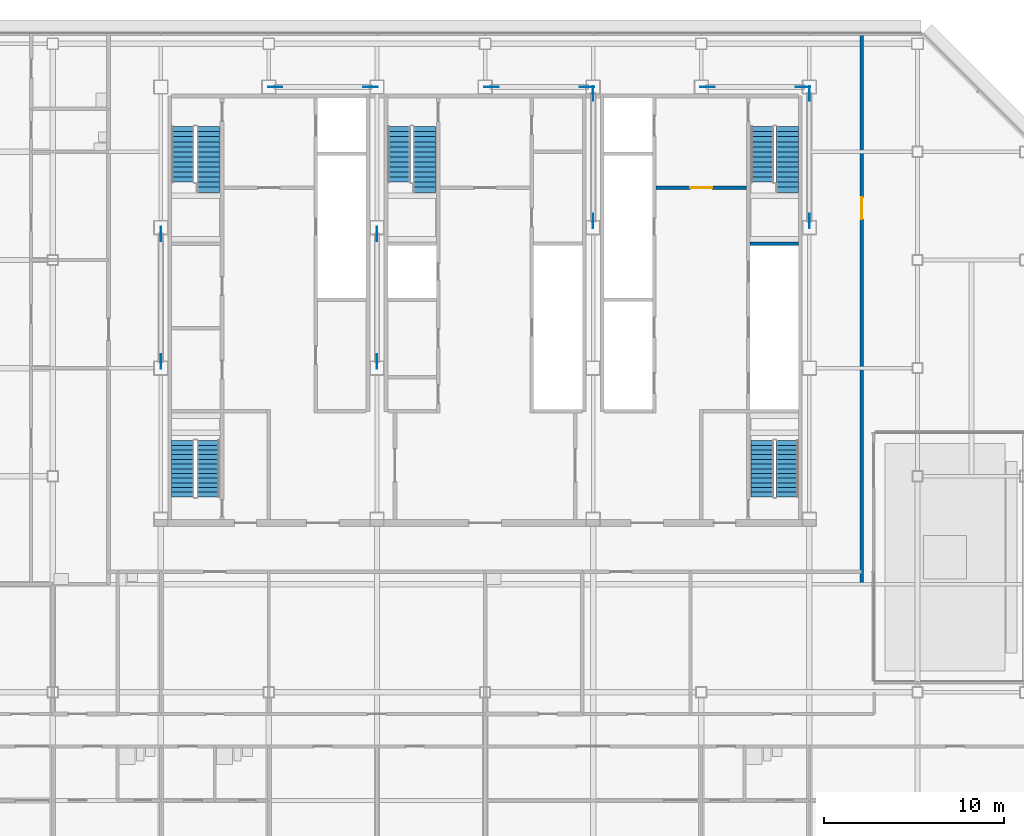
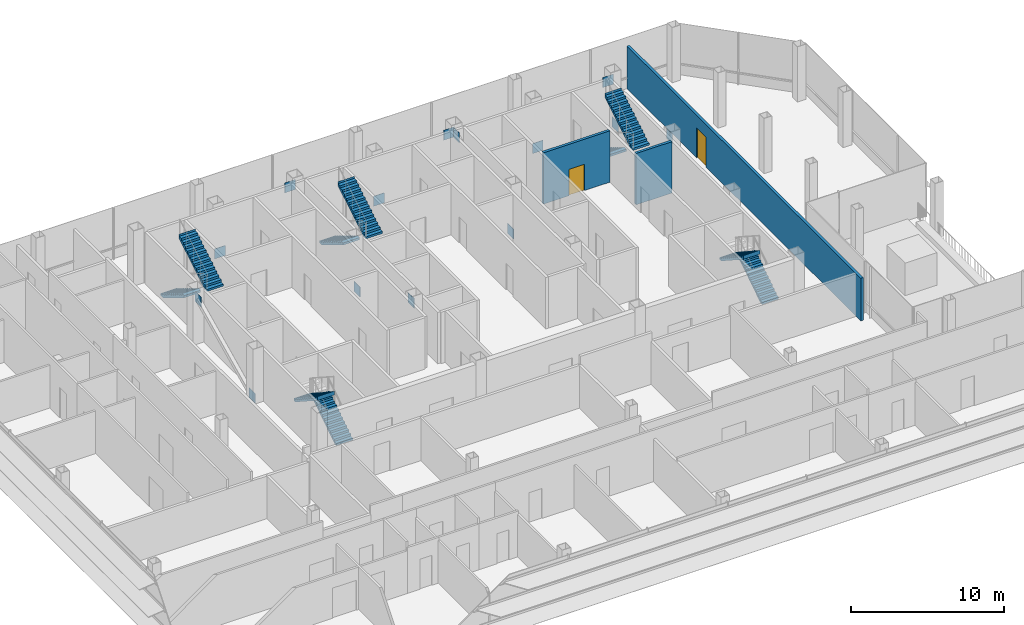
# One storey, part 26 of 30: 14 discrete accessories, 10 stair flights, 3 walls, 2 doors, 2 openings, 5 elements without a shape of their own.
"""IFC4 building model written with IfcOpenShell, lengths in metres."""

import ifcopenshell
import ifcopenshell.guid

model = None  # the IFC model being written
_history = None  # IfcOwnerHistory: only IFC2X3 demands one
_inside = {}  # id of a spatial element -> (the spatial element, [elements in it])
_under = {}  # id of a project, library or spatial element -> (it, [spatial elements below it])
_declared = {}  # id of a project -> (the project, [libraries it declares])
_typed = {}  # id of a type object -> (the type object, [elements of that type])
_made_of = {}  # id of a material, layer set ... -> (it, [elements and type objects made of it])


def new_model(schema):
    """Start an empty IFC model of exactly this schema.

    Asked for "IFC4X3", IfcOpenShell would pick the latest addendum, in which some entities
    have other attributes; the version numbers below select the first issue.
    IFC2X3 requires an IfcOwnerHistory on every rooted entity: one is made here for all.
    """
    global model, _history
    if schema == "IFC4X3":
        model = ifcopenshell.file(schema_version=(4, 3, 0, 0))
    else:
        model = ifcopenshell.file(schema=schema)
    _inside.clear()
    _under.clear()
    _declared.clear()
    _typed.clear()
    _made_of.clear()
    _history = None
    if model.schema == "IFC2X3":
        org = make("IfcOrganization", Name="unknown")
        user = make(
            "IfcPersonAndOrganization",
            ThePerson=make("IfcPerson", FamilyName="unknown"),
            TheOrganization=org,
        )
        app = make(
            "IfcApplication",
            ApplicationDeveloper=org,
            Version="unknown",
            ApplicationFullName="unknown",
            ApplicationIdentifier="unknown",
        )
        _history = make(
            "IfcOwnerHistory",
            OwningUser=user,
            OwningApplication=app,
            ChangeAction="ADDED",
            CreationDate=0,
        )
    return model


def make(cls, **values):
    """One entity of the class cls with the attributes given. An attribute that is None is left unset."""
    return model.create_entity(
        cls, **{name: value for name, value in values.items() if value is not None}
    )


def rooted(cls, **values):
    """An entity with a GlobalId (a new one), such as an element, a storey or a relation."""
    return make(cls, GlobalId=ifcopenshell.guid.new(), OwnerHistory=_history, **values)


def si_unit(unit_type, name, prefix=None):
    """IfcSIUnit, for example si_unit("LENGTHUNIT", "METRE", prefix="MILLI")."""
    return make("IfcSIUnit", UnitType=unit_type, Prefix=prefix, Name=name)


def assignment(units):
    """IfcUnitAssignment: the units of a project."""
    return None if units is None else make("IfcUnitAssignment", Units=units)


def point(xyz):
    """IfcCartesianPoint."""
    return None if xyz is None else make("IfcCartesianPoint", Coordinates=xyz)


def direction(xyz):
    """IfcDirection."""
    return None if xyz is None else make("IfcDirection", DirectionRatios=xyz)


def frame(location, z_axis=None, x_axis=None):
    """IfcAxis2Placement3D, a coordinate frame: its origin and axes. An axis left out is left unset."""
    return make(
        "IfcAxis2Placement3D",
        Location=point(location),
        Axis=direction(z_axis),
        RefDirection=direction(x_axis),
    )


def frame_2d(location, x_axis=None):
    """IfcAxis2Placement2D, a coordinate frame in the plane: its origin and x axis."""
    return make(
        "IfcAxis2Placement2D", Location=point(location), RefDirection=direction(x_axis)
    )


def origin():
    """The frame at (0, 0, 0) with its axes left unset."""
    return frame((0.0, 0.0, 0.0))


def origin_2d():
    """The frame at (0, 0) in the plane with its x axis left unset."""
    return frame_2d((0.0, 0.0))


def place(relative_to, where):
    """IfcLocalPlacement: puts the frame where relative to a parent placement (None: the world)."""
    return make(
        "IfcLocalPlacement", PlacementRelTo=relative_to, RelativePlacement=where
    )


def context(
    kind, dimensions, precision=None, world=None, true_north=None, identifier=None
):
    """IfcGeometricRepresentationContext, for example the 3D "Model" context."""
    return make(
        "IfcGeometricRepresentationContext",
        ContextIdentifier=identifier,
        ContextType=kind,
        CoordinateSpaceDimension=dimensions,
        Precision=precision,
        WorldCoordinateSystem=world,
        TrueNorth=true_north,
    )


def subcontext(parent, identifier, kind, view, scale=None):
    """IfcGeometricRepresentationSubContext, for example "Body" below "Model"."""
    return make(
        "IfcGeometricRepresentationSubContext",
        ContextIdentifier=identifier,
        ContextType=kind,
        ParentContext=parent,
        TargetScale=scale,
        TargetView=view,
    )


def project(units=None, contexts=None):
    """IfcProject with its units and contexts."""
    return rooted(
        "IfcProject",
        Name="project",
        RepresentationContexts=contexts,
        UnitsInContext=assignment(units),
    )


def spatial(cls, under=None, at=None, **own):
    """A site, building, storey or space (cls), placed at a placement, below another one or the project."""
    s = rooted(cls, ObjectPlacement=at, **own)
    if under is not None:
        _under.setdefault(under.id(), (under, []))[1].append(s)
    return s


def polyline(points):
    """IfcPolyline through the points."""
    return make("IfcPolyline", Points=[point(p) for p in points])


def profile(cls, at=None, kind="AREA", **sizes):
    """A parametric profile (cls). Its sizes go by their IFC names, for example OverallWidth=200.0."""
    return make(cls, ProfileType=kind, Position=at, **sizes)


def rectangle(**sizes):
    """IfcRectangleProfileDef."""
    return profile("IfcRectangleProfileDef", **sizes)


def outline(outer, holes=None, kind="AREA"):
    """IfcArbitraryClosedProfileDef: a profile drawn as a closed curve; with holes, ...WithVoids."""
    if holes is None:
        return make("IfcArbitraryClosedProfileDef", ProfileType=kind, OuterCurve=outer)
    return make(
        "IfcArbitraryProfileDefWithVoids",
        ProfileType=kind,
        OuterCurve=outer,
        InnerCurves=holes,
    )


def extrude(swept, where, along, depth):
    """IfcExtrudedAreaSolid: the profile swept, set in the frame where, extruded along a direction by depth."""
    return make(
        "IfcExtrudedAreaSolid",
        SweptArea=swept,
        Position=where,
        ExtrudedDirection=direction(along),
        Depth=depth,
    )


def shape(context_of_items, identifier, shape_type, items):
    """IfcShapeRepresentation: the items that make up one representation, for example the "Body"."""
    return make(
        "IfcShapeRepresentation",
        ContextOfItems=context_of_items,
        RepresentationIdentifier=identifier,
        RepresentationType=shape_type,
        Items=items,
    )


def material(Name=None, Category=None):
    """IfcMaterial."""
    return make("IfcMaterial", Name=Name, Category=Category)


def layer(
    of_material, thickness, ventilated=None, Name=None, Category=None, Priority=None
):
    """IfcMaterialLayer: one layer of a wall or slab, of a material (None: an air gap)."""
    return make(
        "IfcMaterialLayer",
        Material=of_material,
        LayerThickness=thickness,
        IsVentilated=ventilated,
        Name=Name,
        Category=Category,
        Priority=Priority,
    )


def layer_set(layers, Name=None):
    """IfcMaterialLayerSet."""
    return make("IfcMaterialLayerSet", MaterialLayers=layers, LayerSetName=Name)


def made_of(thing, what):
    """Note that an element or type object is made of a material, layer set ...; save() writes the relation."""
    if what is not None:
        _made_of.setdefault(what.id(), (what, []))[1].append(thing)
    return thing


def type_object(cls, material=None, **own):
    """A type object (cls), such as IfcWallType, which elements share."""
    return made_of(rooted(cls, **own), material)


def element(
    cls,
    number,
    at=None,
    inside=None,
    cuts=None,
    type_object=None,
    material=None,
    context=None,
    identifier="Body",
    shape_type=None,
    held_by="IfcProductDefinitionShape",
    body=None,
    shapes=None,
    **own,
):
    """One element of the class cls, such as IfcWall. Its Tag is "e" and its number.

    at: its placement. inside: the storey or other place that contains it. cuts: it is an
    opening in that element (IfcRelVoidsElement). A single representation is given by context,
    identifier, shape_type and body (its items); several are given by shapes. held_by: the class
    of the entity that holds the representations. save() writes the other relations.
    """
    e = rooted(cls, Tag="e%d" % number, ObjectPlacement=at, **own)
    if body is not None:
        shapes = [shape(context, identifier, shape_type, body)]
    if shapes is not None:
        e.Representation = make(held_by, Representations=shapes)
    if inside is not None:
        _inside.setdefault(inside.id(), (inside, []))[1].append(e)
    if cuts is not None:
        rooted(
            "IfcRelVoidsElement", RelatingBuildingElement=cuts, RelatedOpeningElement=e
        )
    if type_object is not None:
        _typed.setdefault(type_object.id(), (type_object, []))[1].append(e)
    return made_of(e, material)


def fill(opening, filler):
    """IfcRelFillsElement: the door or window that sits in an opening."""
    return rooted(
        "IfcRelFillsElement",
        RelatingOpeningElement=opening,
        RelatedBuildingElement=filler,
    )


def aggregate(whole, parts):
    """IfcRelAggregates: a whole, such as a stair, and the parts it consists of."""
    return rooted("IfcRelAggregates", RelatingObject=whole, RelatedObjects=parts)


def save(model, path):
    """Write the relations noted so far, then the file.

    IfcRelAggregates (storeys below a building ...), IfcRelContainedInSpatialStructure (elements
    in a storey), IfcRelDefinesByType, IfcRelAssociatesMaterial and IfcRelDeclares: one each for
    every whole, place, type object, material and project.
    """
    for whole, parts in _under.values():
        aggregate(whole, parts)
    for where, things in _inside.values():
        rooted(
            "IfcRelContainedInSpatialStructure",
            RelatedElements=things,
            RelatingStructure=where,
        )
    for kind, things in _typed.values():
        rooted("IfcRelDefinesByType", RelatedObjects=things, RelatingType=kind)
    for what, things in _made_of.values():
        rooted("IfcRelAssociatesMaterial", RelatedObjects=things, RelatingMaterial=what)
    for by, libraries in _declared.values():
        rooted("IfcRelDeclares", RelatingContext=by, RelatedDefinitions=libraries)
    model.write(path)


model = new_model("IFC4")

# Units and contexts
model_context = context("Model", 3, precision=1e-05, world=origin(), true_north=direction((0.0, 1.0)))
body_context = subcontext(model_context, "Body", "Model", "MODEL_VIEW")
ifc_project = project(units=[si_unit("LENGTHUNIT", "METRE"), si_unit("AREAUNIT", "SQUARE_METRE"), si_unit("VOLUMEUNIT", "CUBIC_METRE"), si_unit("PLANEANGLEUNIT", "RADIAN"), si_unit("MASSUNIT", "GRAM", prefix="KILO")], contexts=[model_context])

# Site, building, storey
site_placement = place(None, origin())
site = spatial("IfcSite", under=ifc_project, at=site_placement, CompositionType="ELEMENT")
building_placement = place(site_placement, origin())
building = spatial("IfcBuilding", under=site, at=building_placement, Name="Sorahane Residences", CompositionType="ELEMENT")
storey_placement = place(building_placement, frame((0.0, 0.0, 229.800048828125)))
storey = spatial("IfcBuildingStorey", under=building, at=storey_placement, Name="L54", CompositionType="ELEMENT", Elevation=229.800048828125)

# Wall, opening, door
ifc_material_1 = material(Name="Concrete blockwork C20 wall", Category="masonry")
ifc_layer_1 = layer(ifc_material_1, 0.199951171875)
ifc_layer_set_1 = layer_set([ifc_layer_1], Name="Corridor wall 200 EI 120")
wall_type_1 = type_object("IfcWallType", Name="Corridor wall 200 EI 120", PredefinedType="SOLIDWALL", material=ifc_layer_set_1)
wall_1_placement = place(storey_placement, frame((44.89990234375, 18.0, 0.0), z_axis=(0.0, 0.0, 1.0), x_axis=(0.0, 1.0, 0.0)))
wall_1 = element("IfcWall", 1, at=wall_1_placement, inside=storey, type_object=wall_type_1, Name="L54 corridor wall", PredefinedType="SOLIDWALL", context=body_context, shape_type="SweptSolid", body=[
    extrude(rectangle(XDim=30.60009765625, YDim=0.199951171875, at=frame_2d((15.300048828125, 0.0))), origin(), (0.0, 0.0, 1.0), 3.39990234375),
])
opening_1_placement = place(wall_1_placement, frame((20.27001953125, 0.0, 0.0)))
opening_1 = element("IfcOpeningElement", 2, at=opening_1_placement, cuts=wall_1, Name="Opening L54-43", PredefinedType="OPENING", context=body_context, shape_type="SweptSolid", body=[
    extrude(rectangle(XDim=1.199951171875, YDim=2.39990234375, at=frame_2d((0.60009765625, 1.199951171875))), frame((0.0, 0.10986328125, 0.0), z_axis=(0.0, -1.0, 0.0), x_axis=(1.0, 0.0, 0.0)), (0.0, 0.0, 1.0), 0.219970703125),
])
ifc_material_2 = material(Name="Steel", Category="steel")
door_type_1 = type_object("IfcDoorType", Name="Lobby door 1200x2400 FD60", OperationType="NOTDEFINED", PredefinedType="DOOR", material=ifc_material_2)
door_1_placement = place(opening_1_placement, frame((1.199951171875, 0.0, 0.0), z_axis=(0.0, 0.0, 1.0), x_axis=(-1.0, 0.0, 0.0)))
door_1 = element("IfcDoor", 3, at=door_1_placement, inside=storey, type_object=door_type_1, Name="Lobby door L54-43", OperationType="SINGLE_SWING_RIGHT", OverallHeight=2.39990234375, OverallWidth=1.199951171875, PredefinedType="DOOR", context=body_context, shape_type="SweptSolid", body=[
    extrude(rectangle(XDim=1.199951171875, YDim=2.39990234375, at=frame_2d((0.60009765625, 1.199951171875))), frame((0.0, 0.02490234375, 0.0), z_axis=(0.0, -1.0, 0.0), x_axis=(1.0, 0.0, 0.0)), (0.0, 0.0, 1.0), 0.050048828125),
])
fill(opening_1, door_1)

ifc_material_3 = material(Name="Concrete C30", Category="concrete")
ifc_layer_2 = layer(ifc_material_3, 0.199951171875)
ifc_layer_set_2 = layer_set([ifc_layer_2], Name="Front room wall 200 EI 120")
wall_type_2 = type_object("IfcWallType", Name="Front room wall 200 EI 120", PredefinedType="PARTITIONING", material=ifc_layer_set_2)
wall_2_placement = place(storey_placement, frame((33.5, 40.0, 0.0), z_axis=(0.0, 0.0, 1.0), x_axis=(1.0, 0.0, 0.0)))
wall_2 = element("IfcWall", 4, at=wall_2_placement, inside=storey, type_object=wall_type_2, Name="L54 front room wall", PredefinedType="PARTITIONING", context=body_context, shape_type="SweptSolid", body=[
    extrude(rectangle(XDim=5.0, YDim=0.199951171875, at=frame_2d((2.5, 0.0))), origin(), (0.0, 0.0, 1.0), 4.099853515625),
])
opening_2_placement = place(wall_2_placement, frame((1.89990234375, 0.0, 0.0)))
opening_2 = element("IfcOpeningElement", 5, at=opening_2_placement, cuts=wall_2, Name="Opening L54-C10", PredefinedType="OPENING", context=body_context, shape_type="SweptSolid", body=[
    extrude(rectangle(XDim=1.199951171875, YDim=2.10009765625, at=frame_2d((0.60009765625, 1.050048828125))), frame((0.0, 0.10986328125, 0.0), z_axis=(0.0, -1.0, 0.0), x_axis=(1.0, 0.0, 0.0)), (0.0, 0.0, 1.0), 0.219970703125),
])
ifc_material_4 = material(Name="Steel", Category="steel")
door_type_2 = type_object("IfcDoorType", Name="Front room door 1200x2100 FD120", OperationType="NOTDEFINED", PredefinedType="DOOR", material=ifc_material_4)
door_2_placement = place(opening_2_placement, frame((1.199951171875, 0.0, 0.0), z_axis=(0.0, 0.0, 1.0), x_axis=(-1.0, 0.0, 0.0)))
door_2 = element("IfcDoor", 6, at=door_2_placement, inside=storey, type_object=door_type_2, Name="Front room door Firefighting lobby FF2 front room L54", OperationType="DOUBLE_DOOR_SINGLE_SWING", OverallHeight=2.10009765625, OverallWidth=1.199951171875, PredefinedType="DOOR", context=body_context, shape_type="SweptSolid", body=[
    extrude(rectangle(XDim=1.199951171875, YDim=2.10009765625, at=frame_2d((0.60009765625, 1.050048828125))), frame((0.0, 0.02490234375, 0.0), z_axis=(0.0, -1.0, 0.0), x_axis=(1.0, 0.0, 0.0)), (0.0, 0.0, 1.0), 0.050048828125),
])
fill(opening_2, door_2)

# Wall
ifc_material_5 = material(Name="Concrete C30", Category="concrete")
ifc_layer_3 = layer(ifc_material_5, 0.199951171875)
ifc_layer_set_3 = layer_set([ifc_layer_3], Name="Stair enclosure wall 200 EI 120")
wall_type_3 = type_object("IfcWallType", Name="Stair enclosure wall 200 EI 120", PredefinedType="SOLIDWALL", material=ifc_layer_set_3)
wall_3_placement = place(storey_placement, frame((38.699951171875, 36.89990234375, 0.0), z_axis=(0.0, 0.0, 1.0), x_axis=(1.0, 0.0, 0.0)))
element("IfcWall", 7, at=wall_3_placement, inside=storey, type_object=wall_type_3, Name="L54 stair enclosure wall", PredefinedType="SOLIDWALL", context=body_context, shape_type="SweptSolid", body=[
    extrude(rectangle(XDim=2.699951171875, YDim=0.199951171875, at=frame_2d((1.35009765625, 0.0))), origin(), (0.0, 0.0, 1.0), 4.099853515625),
])

# Stair, stair flights
ifc_material_6 = material(Name="Concrete C40", Category="concrete")
stair_type = type_object("IfcStairType", Name="Dog-leg stair 1250 Concrete C40", PredefinedType="HALF_TURN_STAIR", material=ifc_material_6)
stair_1_placement = place(storey_placement, origin())
stair_1 = element("IfcStair", 8, at=stair_1_placement, inside=storey, type_object=stair_type, Name="L54 Stair S1", PredefinedType="HALF_TURN_STAIR")
ifc_material_7 = material(Name="Concrete C40", Category="concrete")
stair_flight_type = type_object("IfcStairFlightType", Name="Stair flight 1250 Concrete C40", PredefinedType="STRAIGHT", material=ifc_material_7)
stair_flight_1_placement = place(storey_placement, frame((7.22509765625, 43.39990234375, 0.0), z_axis=(0.0, 0.0, 1.0), x_axis=(0.0, -1.0, 0.0)))
stair_flight_1 = element("IfcStairFlight", 9, at=stair_flight_1_placement, type_object=stair_flight_type, Name="S1 flight 1", NumberOfRisers=12, NumberOfTreads=11, PredefinedType="STRAIGHT", RiserHeight=0.169230769, TreadLength=0.28, context=body_context, shape_type="SweptSolid", body=[
    extrude(outline(polyline([(-0.00146484375, 0.0), (-0.00146484375, 0.169189453125), (0.0, 0.169189453125), (0.280029296875, 0.169189453125), (0.280029296875, 0.33837890625), (0.56005859375, 0.33837890625), (0.56005859375, 0.5078125), (0.840087890625, 0.5078125), (0.840087890625, 0.677001953125), (1.1201171875, 0.677001953125), (1.1201171875, 0.84619140625), (1.39990234375, 0.84619140625), (1.39990234375, 1.015380859375), (1.679931640625, 1.015380859375), (1.679931640625, 1.1845703125), (1.9599609375, 1.1845703125), (1.9599609375, 1.353759765625), (2.239990234375, 1.353759765625), (2.239990234375, 1.523193359375), (2.52001953125, 1.523193359375), (2.52001953125, 1.6923828125), (2.800048828125, 1.6923828125), (2.800048828125, 1.861572265625), (3.080078125, 1.861572265625), (3.080078125, 2.03076171875), (3.080078125, 1.686279296875), (2.865478515625, 1.556640625), (2.650634765625, 1.427001953125), (2.43603515625, 1.297119140625), (2.221435546875, 1.16748046875), (2.0068359375, 1.037841796875), (1.792236328125, 0.907958984375), (1.57763671875, 0.7783203125), (1.363037109375, 0.648681640625), (1.1484375, 0.518798828125), (0.93359375, 0.38916015625), (0.718994140625, 0.259521484375), (0.50439453125, 0.129638671875), (0.289794921875, 0.0), (-0.00146484375, 0.0)])), frame((0.0, 0.625, 0.0), z_axis=(0.0, -1.0, 0.0), x_axis=(1.0, 0.0, 0.0)), (0.0, 0.0, 1.0), 1.25),
])
stair_flight_2_placement = place(storey_placement, frame((8.625, 39.760009765625, 2.03076171875), z_axis=(0.0, 0.0, 1.0), x_axis=(0.0, 1.0, 0.0)))
stair_flight_2 = element("IfcStairFlight", 10, at=stair_flight_2_placement, type_object=stair_flight_type, Name="S1 flight 2", NumberOfRisers=14, NumberOfTreads=13, PredefinedType="STRAIGHT", RiserHeight=0.169230769, TreadLength=0.28, context=body_context, shape_type="SweptSolid", body=[
    extrude(outline(polyline([(-0.00146484375, 0.0), (-0.00146484375, 0.169189453125), (0.0, 0.169189453125), (0.280029296875, 0.169189453125), (0.280029296875, 0.33837890625), (0.56005859375, 0.33837890625), (0.56005859375, 0.5078125), (0.840087890625, 0.5078125), (0.840087890625, 0.677001953125), (1.1201171875, 0.677001953125), (1.1201171875, 0.84619140625), (1.39990234375, 0.84619140625), (1.39990234375, 1.015380859375), (1.679931640625, 1.015380859375), (1.679931640625, 1.1845703125), (1.9599609375, 1.1845703125), (1.9599609375, 1.353759765625), (2.239990234375, 1.353759765625), (2.239990234375, 1.523193359375), (2.52001953125, 1.523193359375), (2.52001953125, 1.6923828125), (2.800048828125, 1.6923828125), (2.800048828125, 1.861572265625), (3.080078125, 1.861572265625), (3.080078125, 2.03076171875), (3.360107421875, 2.03076171875), (3.360107421875, 2.199951171875), (3.639892578125, 2.199951171875), (3.639892578125, 2.369140625), (3.6416015625, 2.369140625), (3.6416015625, 2.02490234375), (3.41796875, 1.889892578125), (3.194580078125, 1.7548828125), (2.97119140625, 1.619873046875), (2.747802734375, 1.48486328125), (2.524169921875, 1.349853515625), (2.30078125, 1.21484375), (2.077392578125, 1.079833984375), (1.85400390625, 0.94482421875), (1.63037109375, 0.81005859375), (1.406982421875, 0.675048828125), (1.18359375, 0.5400390625), (0.960205078125, 0.405029296875), (0.73681640625, 0.27001953125), (0.51318359375, 0.135009765625), (0.289794921875, 0.0), (-0.00146484375, 0.0)])), frame((0.0, 0.625, 0.0), z_axis=(0.0, -1.0, 0.0), x_axis=(1.0, 0.0, 0.0)), (0.0, 0.0, 1.0), 1.25),
])
aggregate(stair_1, [stair_flight_1, stair_flight_2])

stair_2_placement = place(storey_placement, origin())
stair_2 = element("IfcStair", 11, at=stair_2_placement, inside=storey, type_object=stair_type, Name="L54 Stair S2", PredefinedType="HALF_TURN_STAIR")
stair_flight_3_placement = place(storey_placement, frame((39.375, 43.39990234375, 0.0), z_axis=(0.0, 0.0, 1.0), x_axis=(0.0, -1.0, 0.0)))
stair_flight_3 = element("IfcStairFlight", 12, at=stair_flight_3_placement, type_object=stair_flight_type, Name="S2 flight 1", NumberOfRisers=12, NumberOfTreads=11, PredefinedType="STRAIGHT", RiserHeight=0.169230769, TreadLength=0.28, context=body_context, shape_type="SweptSolid", body=[
    extrude(outline(polyline([(-0.00146484375, 0.0), (-0.00146484375, 0.169189453125), (0.0, 0.169189453125), (0.280029296875, 0.169189453125), (0.280029296875, 0.33837890625), (0.56005859375, 0.33837890625), (0.56005859375, 0.5078125), (0.840087890625, 0.5078125), (0.840087890625, 0.677001953125), (1.1201171875, 0.677001953125), (1.1201171875, 0.84619140625), (1.39990234375, 0.84619140625), (1.39990234375, 1.015380859375), (1.679931640625, 1.015380859375), (1.679931640625, 1.1845703125), (1.9599609375, 1.1845703125), (1.9599609375, 1.353759765625), (2.239990234375, 1.353759765625), (2.239990234375, 1.523193359375), (2.52001953125, 1.523193359375), (2.52001953125, 1.6923828125), (2.800048828125, 1.6923828125), (2.800048828125, 1.861572265625), (3.080078125, 1.861572265625), (3.080078125, 2.03076171875), (3.080078125, 1.686279296875), (2.865478515625, 1.556640625), (2.650634765625, 1.427001953125), (2.43603515625, 1.297119140625), (2.221435546875, 1.16748046875), (2.0068359375, 1.037841796875), (1.792236328125, 0.907958984375), (1.57763671875, 0.7783203125), (1.363037109375, 0.648681640625), (1.1484375, 0.518798828125), (0.93359375, 0.38916015625), (0.718994140625, 0.259521484375), (0.50439453125, 0.129638671875), (0.289794921875, 0.0), (-0.00146484375, 0.0)])), frame((0.0, 0.625, 0.0), z_axis=(0.0, -1.0, 0.0), x_axis=(1.0, 0.0, 0.0)), (0.0, 0.0, 1.0), 1.25),
])
stair_flight_4_placement = place(storey_placement, frame((40.77490234375, 39.760009765625, 2.03076171875), z_axis=(0.0, 0.0, 1.0), x_axis=(0.0, 1.0, 0.0)))
stair_flight_4 = element("IfcStairFlight", 13, at=stair_flight_4_placement, type_object=stair_flight_type, Name="S2 flight 2", NumberOfRisers=14, NumberOfTreads=13, PredefinedType="STRAIGHT", RiserHeight=0.169230769, TreadLength=0.28, context=body_context, shape_type="SweptSolid", body=[
    extrude(outline(polyline([(-0.00146484375, 0.0), (-0.00146484375, 0.169189453125), (0.0, 0.169189453125), (0.280029296875, 0.169189453125), (0.280029296875, 0.33837890625), (0.56005859375, 0.33837890625), (0.56005859375, 0.5078125), (0.840087890625, 0.5078125), (0.840087890625, 0.677001953125), (1.1201171875, 0.677001953125), (1.1201171875, 0.84619140625), (1.39990234375, 0.84619140625), (1.39990234375, 1.015380859375), (1.679931640625, 1.015380859375), (1.679931640625, 1.1845703125), (1.9599609375, 1.1845703125), (1.9599609375, 1.353759765625), (2.239990234375, 1.353759765625), (2.239990234375, 1.523193359375), (2.52001953125, 1.523193359375), (2.52001953125, 1.6923828125), (2.800048828125, 1.6923828125), (2.800048828125, 1.861572265625), (3.080078125, 1.861572265625), (3.080078125, 2.03076171875), (3.360107421875, 2.03076171875), (3.360107421875, 2.199951171875), (3.639892578125, 2.199951171875), (3.639892578125, 2.369140625), (3.6416015625, 2.369140625), (3.6416015625, 2.02490234375), (3.41796875, 1.889892578125), (3.194580078125, 1.7548828125), (2.97119140625, 1.619873046875), (2.747802734375, 1.48486328125), (2.524169921875, 1.349853515625), (2.30078125, 1.21484375), (2.077392578125, 1.079833984375), (1.85400390625, 0.94482421875), (1.63037109375, 0.81005859375), (1.406982421875, 0.675048828125), (1.18359375, 0.5400390625), (0.960205078125, 0.405029296875), (0.73681640625, 0.27001953125), (0.51318359375, 0.135009765625), (0.289794921875, 0.0), (-0.00146484375, 0.0)])), frame((0.0, 0.625, 0.0), z_axis=(0.0, -1.0, 0.0), x_axis=(1.0, 0.0, 0.0)), (0.0, 0.0, 1.0), 1.25),
])
aggregate(stair_2, [stair_flight_3, stair_flight_4])

stair_3_placement = place(storey_placement, origin())
stair_3 = element("IfcStair", 14, at=stair_3_placement, inside=storey, type_object=stair_type, Name="L54 Stair S3", PredefinedType="HALF_TURN_STAIR")
stair_flight_5_placement = place(storey_placement, frame((19.22509765625, 43.39990234375, 0.0), z_axis=(0.0, 0.0, 1.0), x_axis=(0.0, -1.0, 0.0)))
stair_flight_5 = element("IfcStairFlight", 15, at=stair_flight_5_placement, type_object=stair_flight_type, Name="S3 flight 1", NumberOfRisers=12, NumberOfTreads=11, PredefinedType="STRAIGHT", RiserHeight=0.169230769, TreadLength=0.28, context=body_context, shape_type="SweptSolid", body=[
    extrude(outline(polyline([(-0.00146484375, 0.0), (-0.00146484375, 0.169189453125), (0.0, 0.169189453125), (0.280029296875, 0.169189453125), (0.280029296875, 0.33837890625), (0.56005859375, 0.33837890625), (0.56005859375, 0.5078125), (0.840087890625, 0.5078125), (0.840087890625, 0.677001953125), (1.1201171875, 0.677001953125), (1.1201171875, 0.84619140625), (1.39990234375, 0.84619140625), (1.39990234375, 1.015380859375), (1.679931640625, 1.015380859375), (1.679931640625, 1.1845703125), (1.9599609375, 1.1845703125), (1.9599609375, 1.353759765625), (2.239990234375, 1.353759765625), (2.239990234375, 1.523193359375), (2.52001953125, 1.523193359375), (2.52001953125, 1.6923828125), (2.800048828125, 1.6923828125), (2.800048828125, 1.861572265625), (3.080078125, 1.861572265625), (3.080078125, 2.03076171875), (3.080078125, 1.686279296875), (2.865478515625, 1.556640625), (2.650634765625, 1.427001953125), (2.43603515625, 1.297119140625), (2.221435546875, 1.16748046875), (2.0068359375, 1.037841796875), (1.792236328125, 0.907958984375), (1.57763671875, 0.7783203125), (1.363037109375, 0.648681640625), (1.1484375, 0.518798828125), (0.93359375, 0.38916015625), (0.718994140625, 0.259521484375), (0.50439453125, 0.129638671875), (0.289794921875, 0.0), (-0.00146484375, 0.0)])), frame((0.0, 0.625, 0.0), z_axis=(0.0, -1.0, 0.0), x_axis=(1.0, 0.0, 0.0)), (0.0, 0.0, 1.0), 1.25),
])
stair_flight_6_placement = place(storey_placement, frame((20.625, 39.760009765625, 2.03076171875), z_axis=(0.0, 0.0, 1.0), x_axis=(0.0, 1.0, 0.0)))
stair_flight_6 = element("IfcStairFlight", 16, at=stair_flight_6_placement, type_object=stair_flight_type, Name="S3 flight 2", NumberOfRisers=14, NumberOfTreads=13, PredefinedType="STRAIGHT", RiserHeight=0.169230769, TreadLength=0.28, context=body_context, shape_type="SweptSolid", body=[
    extrude(outline(polyline([(-0.00146484375, 0.0), (-0.00146484375, 0.169189453125), (0.0, 0.169189453125), (0.280029296875, 0.169189453125), (0.280029296875, 0.33837890625), (0.56005859375, 0.33837890625), (0.56005859375, 0.5078125), (0.840087890625, 0.5078125), (0.840087890625, 0.677001953125), (1.1201171875, 0.677001953125), (1.1201171875, 0.84619140625), (1.39990234375, 0.84619140625), (1.39990234375, 1.015380859375), (1.679931640625, 1.015380859375), (1.679931640625, 1.1845703125), (1.9599609375, 1.1845703125), (1.9599609375, 1.353759765625), (2.239990234375, 1.353759765625), (2.239990234375, 1.523193359375), (2.52001953125, 1.523193359375), (2.52001953125, 1.6923828125), (2.800048828125, 1.6923828125), (2.800048828125, 1.861572265625), (3.080078125, 1.861572265625), (3.080078125, 2.03076171875), (3.360107421875, 2.03076171875), (3.360107421875, 2.199951171875), (3.639892578125, 2.199951171875), (3.639892578125, 2.369140625), (3.6416015625, 2.369140625), (3.6416015625, 2.02490234375), (3.41796875, 1.889892578125), (3.194580078125, 1.7548828125), (2.97119140625, 1.619873046875), (2.747802734375, 1.48486328125), (2.524169921875, 1.349853515625), (2.30078125, 1.21484375), (2.077392578125, 1.079833984375), (1.85400390625, 0.94482421875), (1.63037109375, 0.81005859375), (1.406982421875, 0.675048828125), (1.18359375, 0.5400390625), (0.960205078125, 0.405029296875), (0.73681640625, 0.27001953125), (0.51318359375, 0.135009765625), (0.289794921875, 0.0), (-0.00146484375, 0.0)])), frame((0.0, 0.625, 0.0), z_axis=(0.0, -1.0, 0.0), x_axis=(1.0, 0.0, 0.0)), (0.0, 0.0, 1.0), 1.25),
])
aggregate(stair_3, [stair_flight_5, stair_flight_6])

stair_4_placement = place(storey_placement, origin())
stair_4 = element("IfcStair", 17, at=stair_4_placement, inside=storey, type_object=stair_type, Name="L54 Stair S4", PredefinedType="HALF_TURN_STAIR")
stair_flight_7_placement = place(storey_placement, frame((8.625, 22.85009765625, 0.0), z_axis=(0.0, 0.0, 1.0), x_axis=(0.0, 1.0, 0.0)))
stair_flight_7 = element("IfcStairFlight", 18, at=stair_flight_7_placement, type_object=stair_flight_type, Name="S4 flight 1", NumberOfRisers=13, NumberOfTreads=12, PredefinedType="STRAIGHT", RiserHeight=0.169230769, TreadLength=0.26, context=body_context, shape_type="SweptSolid", body=[
    extrude(outline(polyline([(-0.00146484375, 0.0), (-0.00146484375, 0.169189453125), (0.0, 0.169189453125), (0.260009765625, 0.169189453125), (0.260009765625, 0.33837890625), (0.52001953125, 0.33837890625), (0.52001953125, 0.5078125), (0.780029296875, 0.5078125), (0.780029296875, 0.677001953125), (1.0400390625, 0.677001953125), (1.0400390625, 0.84619140625), (1.300048828125, 0.84619140625), (1.300048828125, 1.015380859375), (1.56005859375, 1.015380859375), (1.56005859375, 1.1845703125), (1.820068359375, 1.1845703125), (1.820068359375, 1.353759765625), (2.080078125, 1.353759765625), (2.080078125, 1.523193359375), (2.340087890625, 1.523193359375), (2.340087890625, 1.6923828125), (2.60009765625, 1.6923828125), (2.60009765625, 1.861572265625), (2.860107421875, 1.861572265625), (2.860107421875, 2.03076171875), (3.1201171875, 2.03076171875), (3.1201171875, 2.199951171875), (3.1201171875, 1.887451171875), (2.912841796875, 1.752685546875), (2.705810546875, 1.617919921875), (2.49853515625, 1.48291015625), (2.29150390625, 1.34814453125), (2.08447265625, 1.21337890625), (1.877197265625, 1.07861328125), (1.670166015625, 0.943603515625), (1.462890625, 0.808837890625), (1.255859375, 0.674072265625), (1.048828125, 0.539306640625), (0.841552734375, 0.404541015625), (0.634521484375, 0.26953125), (0.42724609375, 0.134765625), (0.22021484375, 0.0), (-0.00146484375, 0.0)])), frame((0.0, 0.625, 0.0), z_axis=(0.0, -1.0, 0.0), x_axis=(1.0, 0.0, 0.0)), (0.0, 0.0, 1.0), 1.25),
])
stair_flight_8_placement = place(storey_placement, frame((7.22509765625, 25.969970703125, 2.199951171875), z_axis=(0.0, 0.0, 1.0), x_axis=(0.0, -1.0, 0.0)))
stair_flight_8 = element("IfcStairFlight", 19, at=stair_flight_8_placement, type_object=stair_flight_type, Name="S4 flight 2", NumberOfRisers=13, NumberOfTreads=12, PredefinedType="STRAIGHT", RiserHeight=0.169230769, TreadLength=0.26, context=body_context, shape_type="SweptSolid", body=[
    extrude(outline(polyline([(0.0, 0.0), (0.0, 0.169189453125), (0.260009765625, 0.169189453125), (0.260009765625, 0.33837890625), (0.52001953125, 0.33837890625), (0.52001953125, 0.5078125), (0.780029296875, 0.5078125), (0.780029296875, 0.677001953125), (1.0400390625, 0.677001953125), (1.0400390625, 0.84619140625), (1.300048828125, 0.84619140625), (1.300048828125, 1.015380859375), (1.56005859375, 1.015380859375), (1.56005859375, 1.1845703125), (1.820068359375, 1.1845703125), (1.820068359375, 1.353759765625), (2.080078125, 1.353759765625), (2.080078125, 1.523193359375), (2.340087890625, 1.523193359375), (2.340087890625, 1.6923828125), (2.60009765625, 1.6923828125), (2.60009765625, 1.861572265625), (2.860107421875, 1.861572265625), (2.860107421875, 2.03076171875), (3.1201171875, 2.03076171875), (3.1201171875, 2.199951171875), (3.12158203125, 2.199951171875), (3.12158203125, 1.887451171875), (2.914306640625, 1.752685546875), (2.70703125, 1.617919921875), (2.499755859375, 1.48291015625), (2.29248046875, 1.34814453125), (2.085205078125, 1.21337890625), (1.878173828125, 1.07861328125), (1.6708984375, 0.943603515625), (1.463623046875, 0.808837890625), (1.25634765625, 0.674072265625), (1.049072265625, 0.539306640625), (0.841796875, 0.404541015625), (0.634765625, 0.26953125), (0.427490234375, 0.134765625), (0.22021484375, 0.0), (0.0, 0.0)])), frame((0.0, 0.625, 0.0), z_axis=(0.0, -1.0, 0.0), x_axis=(1.0, 0.0, 0.0)), (0.0, 0.0, 1.0), 1.25),
])
aggregate(stair_4, [stair_flight_7, stair_flight_8])

stair_5_placement = place(storey_placement, origin())
stair_5 = element("IfcStair", 20, at=stair_5_placement, inside=storey, type_object=stair_type, Name="L54 Stair S5", PredefinedType="HALF_TURN_STAIR")
stair_flight_9_placement = place(storey_placement, frame((40.77490234375, 22.85009765625, 0.0), z_axis=(0.0, 0.0, 1.0), x_axis=(0.0, 1.0, 0.0)))
stair_flight_9 = element("IfcStairFlight", 21, at=stair_flight_9_placement, type_object=stair_flight_type, Name="S5 flight 1", NumberOfRisers=13, NumberOfTreads=12, PredefinedType="STRAIGHT", RiserHeight=0.169230769, TreadLength=0.26, context=body_context, shape_type="SweptSolid", body=[
    extrude(outline(polyline([(-0.00146484375, 0.0), (-0.00146484375, 0.169189453125), (0.0, 0.169189453125), (0.260009765625, 0.169189453125), (0.260009765625, 0.33837890625), (0.52001953125, 0.33837890625), (0.52001953125, 0.5078125), (0.780029296875, 0.5078125), (0.780029296875, 0.677001953125), (1.0400390625, 0.677001953125), (1.0400390625, 0.84619140625), (1.300048828125, 0.84619140625), (1.300048828125, 1.015380859375), (1.56005859375, 1.015380859375), (1.56005859375, 1.1845703125), (1.820068359375, 1.1845703125), (1.820068359375, 1.353759765625), (2.080078125, 1.353759765625), (2.080078125, 1.523193359375), (2.340087890625, 1.523193359375), (2.340087890625, 1.6923828125), (2.60009765625, 1.6923828125), (2.60009765625, 1.861572265625), (2.860107421875, 1.861572265625), (2.860107421875, 2.03076171875), (3.1201171875, 2.03076171875), (3.1201171875, 2.199951171875), (3.1201171875, 1.887451171875), (2.912841796875, 1.752685546875), (2.705810546875, 1.617919921875), (2.49853515625, 1.48291015625), (2.29150390625, 1.34814453125), (2.08447265625, 1.21337890625), (1.877197265625, 1.07861328125), (1.670166015625, 0.943603515625), (1.462890625, 0.808837890625), (1.255859375, 0.674072265625), (1.048828125, 0.539306640625), (0.841552734375, 0.404541015625), (0.634521484375, 0.26953125), (0.42724609375, 0.134765625), (0.22021484375, 0.0), (-0.00146484375, 0.0)])), frame((0.0, 0.625, 0.0), z_axis=(0.0, -1.0, 0.0), x_axis=(1.0, 0.0, 0.0)), (0.0, 0.0, 1.0), 1.25),
])
stair_flight_10_placement = place(storey_placement, frame((39.375, 25.969970703125, 2.199951171875), z_axis=(0.0, 0.0, 1.0), x_axis=(0.0, -1.0, 0.0)))
stair_flight_10 = element("IfcStairFlight", 22, at=stair_flight_10_placement, type_object=stair_flight_type, Name="S5 flight 2", NumberOfRisers=13, NumberOfTreads=12, PredefinedType="STRAIGHT", RiserHeight=0.169230769, TreadLength=0.26, context=body_context, shape_type="SweptSolid", body=[
    extrude(outline(polyline([(0.0, 0.0), (0.0, 0.169189453125), (0.260009765625, 0.169189453125), (0.260009765625, 0.33837890625), (0.52001953125, 0.33837890625), (0.52001953125, 0.5078125), (0.780029296875, 0.5078125), (0.780029296875, 0.677001953125), (1.0400390625, 0.677001953125), (1.0400390625, 0.84619140625), (1.300048828125, 0.84619140625), (1.300048828125, 1.015380859375), (1.56005859375, 1.015380859375), (1.56005859375, 1.1845703125), (1.820068359375, 1.1845703125), (1.820068359375, 1.353759765625), (2.080078125, 1.353759765625), (2.080078125, 1.523193359375), (2.340087890625, 1.523193359375), (2.340087890625, 1.6923828125), (2.60009765625, 1.6923828125), (2.60009765625, 1.861572265625), (2.860107421875, 1.861572265625), (2.860107421875, 2.03076171875), (3.1201171875, 2.03076171875), (3.1201171875, 2.199951171875), (3.12158203125, 2.199951171875), (3.12158203125, 1.887451171875), (2.914306640625, 1.752685546875), (2.70703125, 1.617919921875), (2.499755859375, 1.48291015625), (2.29248046875, 1.34814453125), (2.085205078125, 1.21337890625), (1.878173828125, 1.07861328125), (1.6708984375, 0.943603515625), (1.463623046875, 0.808837890625), (1.25634765625, 0.674072265625), (1.049072265625, 0.539306640625), (0.841796875, 0.404541015625), (0.634765625, 0.26953125), (0.427490234375, 0.134765625), (0.22021484375, 0.0), (0.0, 0.0)])), frame((0.0, 0.625, 0.0), z_axis=(0.0, -1.0, 0.0), x_axis=(1.0, 0.0, 0.0)), (0.0, 0.0, 1.0), 1.25),
])
aggregate(stair_5, [stair_flight_9, stair_flight_10])

# Discrete accessories
ifc_material_8 = material(Name="Steel Q355B", Category="steel")
ifc_layer_4 = layer(ifc_material_8, 0.02490234375)
ifc_layer_set_4 = layer_set([ifc_layer_4], Name="Node plate Steel Q355B 25")
discrete_accessory_type = type_object("IfcDiscreteAccessoryType", Name="Node plate Steel Q355B 25", PredefinedType="BRACKET", material=ifc_layer_set_4)
for number, where, z_axis, x_axis, name in (
    (23, (6.0, 30.361083984375, -0.2685546875), (0.0, 0.0, 1.0), (0.0, 1.0, 0.0), "Node plate L54 br"),
    (24, (6.0, 37.43896484375, 3.11865234375), (0.0, 0.0, 1.0), (0.0, 1.0, 0.0), "Node plate L54 br"),
    (25, (18.0, 37.43896484375, -0.2685546875), (0.0, 0.0, 1.0), (0.0, 1.0, 0.0), "Node plate L54 br"),
    (26, (18.0, 30.361083984375, 3.11865234375), (0.0, 0.0, 1.0), (0.0, 1.0, 0.0), "Node plate L54 br"),
    (27, (30.0, 38.1611328125, -0.2685546875), (0.0, 0.0, 1.0), (0.0, 1.0, 0.0), "Node plate L54 br"),
    (28, (30.0, 45.239013671875, 3.11865234375), (0.0, 0.0, 1.0), (0.0, 1.0, 0.0), "Node plate L54 br"),
    (29, (42.0, 45.239013671875, -0.2685546875), (0.0, 0.0, 1.0), (0.0, 1.0, 0.0), "Node plate L54 br"),
    (30, (42.0, 38.1611328125, 3.11865234375), (0.0, 0.0, 1.0), (0.0, 1.0, 0.0), "Node plate L54 br"),
    (31, (12.351318359375, 45.60009765625, -0.28125), (0.0, 0.0, 1.0), (1.0, 0.0, 0.0), "Node plate L54 br"),
    (32, (24.351318359375, 45.60009765625, -0.28125), (0.0, 0.0, 1.0), (1.0, 0.0, 0.0), "Node plate L54 br"),
    (33, (36.351318359375, 45.60009765625, -0.28125), (0.0, 0.0, 1.0), (1.0, 0.0, 0.0), "Node plate L54 br"),
    (34, (17.648681640625, 45.60009765625, 3.13134765625), (0.0, 0.0, 1.0), (1.0, 0.0, 0.0), "Node plate L54 br"),
    (35, (29.648681640625, 45.60009765625, 3.13134765625), (0.0, 0.0, 1.0), (1.0, 0.0, 0.0), "Node plate L54 br"),
    (36, (41.648681640625, 45.60009765625, 3.13134765625), (0.0, 0.0, 1.0), (1.0, 0.0, 0.0), "Node plate L54 br"),
):
    element("IfcDiscreteAccessory", number, at=place(storey_placement, frame(where, z_axis=z_axis, x_axis=x_axis)), inside=storey, type_object=discrete_accessory_type, Name=name, PredefinedType="BRACKET", context=body_context, shape_type="SweptSolid", body=[
        extrude(rectangle(XDim=0.800048828125, YDim=0.02490234375, at=origin_2d()), origin(), (0.0, 0.0, 1.0), 0.800048828125),
    ])

save(model, "model.ifc")
